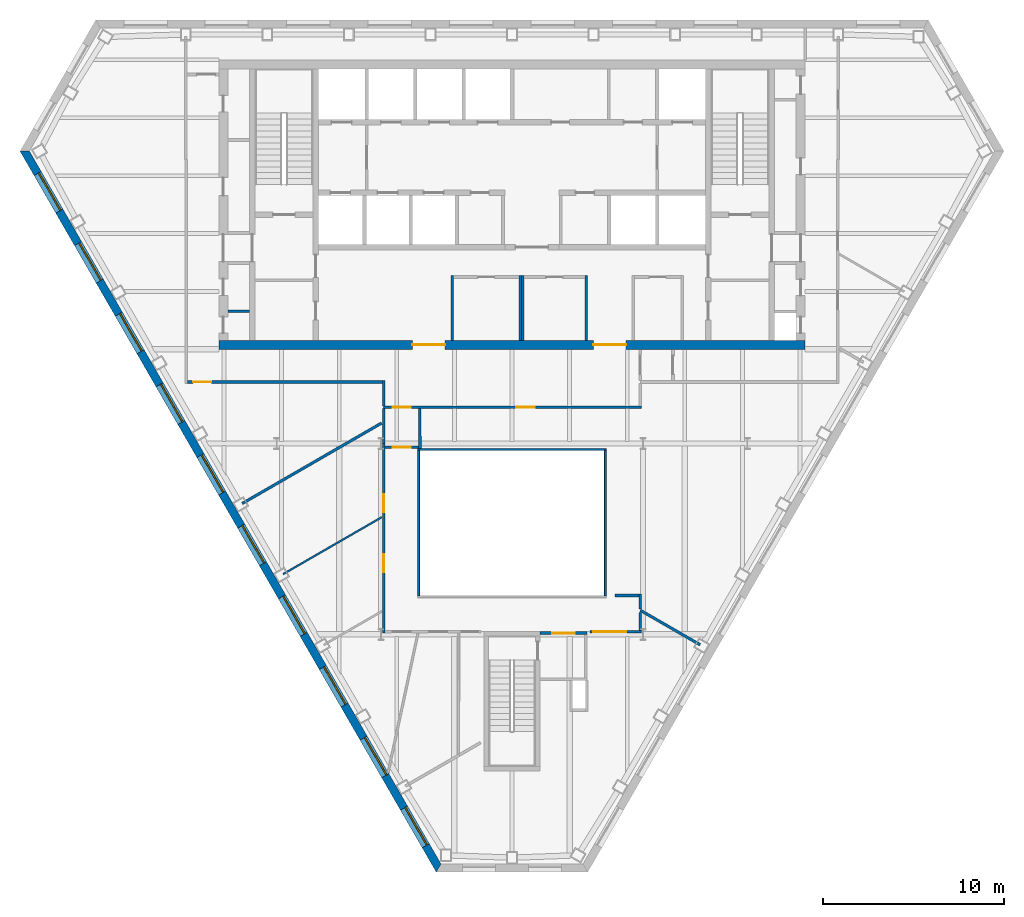
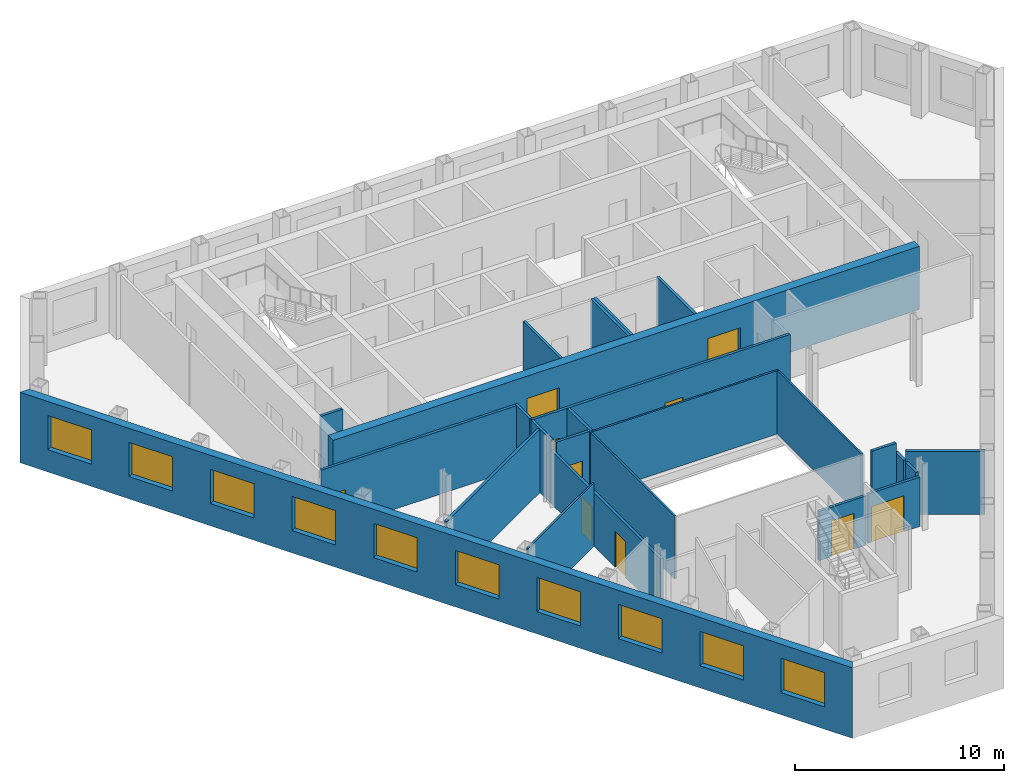
# One storey, part 4 of 10: 25 walls, 10 doors, 10 windows, 20 openings.
"""IFC4 building model written with IfcOpenShell, lengths in metres."""

from ifc_helpers import new_model, si_unit, direction, frame, frame_2d, origin, place, context, subcontext, project, spatial, polyline, rectangle, outline, extrude, material, layer, layer_set, type_object, element, fill, save


model = new_model("IFC4")

# Units and contexts
model_context = context("Model", 3, precision=1e-05, world=origin(), true_north=direction((0.0, 1.0)))
body_context = subcontext(model_context, "Body", "Model", "MODEL_VIEW")
ifc_project = project(units=[si_unit("LENGTHUNIT", "METRE"), si_unit("AREAUNIT", "SQUARE_METRE"), si_unit("VOLUMEUNIT", "CUBIC_METRE"), si_unit("PLANEANGLEUNIT", "RADIAN"), si_unit("MASSUNIT", "GRAM", prefix="KILO")], contexts=[model_context])

# Site, building, storey
site_placement = place(None, origin())
site = spatial("IfcSite", under=ifc_project, at=site_placement, CompositionType="ELEMENT")
building_placement = place(site_placement, origin())
building = spatial("IfcBuilding", under=site, at=building_placement, Name="Njiva Tower", CompositionType="ELEMENT")
storey_placement = place(building_placement, frame((0.0, 0.0, 171.0)))
storey = spatial("IfcBuildingStorey", under=building, at=storey_placement, Name="L37", CompositionType="ELEMENT", Elevation=171.0)

# Walls
ifc_material_1 = material(Name="Blockwork", Category="masonry")
ifc_layer_1 = layer(ifc_material_1, 0.15)
ifc_layer_set_1 = layer_set([ifc_layer_1], Name="Blockwork")
wall_type_1 = type_object("IfcWallType", Name="WT1 Compartment partition 150", PredefinedType="PARTITIONING", material=ifc_layer_set_1)
wall_1_placement = place(storey_placement, frame((-15.7, 4.107, 0.0), z_axis=(0.0, 0.0, 1.0), x_axis=(1.0, 0.0, 0.0)))
element("IfcWall", 1, at=wall_1_placement, inside=storey, type_object=wall_type_1, Name="Partition strip W00", PredefinedType="PARTITIONING", context=body_context, shape_type="SweptSolid", body=[
    extrude(rectangle(XDim=1.2, YDim=0.15, at=frame_2d((0.6, 0.0))), origin(), (0.0, 0.0, 1.0), 3.7),
])
for number, where, z_axis, x_axis, name in (
    (2, (-3.3, 2.5, 0.0), (0.0, 0.0, 1.0), (0.0, 1.0, 0.0), "First aid room wall west"),
    (3, (0.45, 2.5, 0.0), (0.0, 0.0, 1.0), (0.0, 1.0, 0.0), "First aid room wall east"),
    (4, (0.6, 2.5, 0.0), (0.0, 0.0, 1.0), (0.0, 1.0, 0.0), "Parcel room wall west"),
    (5, (4.1, 2.5, 0.0), (0.0, 0.0, 1.0), (0.0, 1.0, 0.0), "Parcel room wall east"),
):
    element("IfcWall", number, at=place(storey_placement, frame(where, z_axis=z_axis, x_axis=x_axis)), inside=storey, type_object=wall_type_1, Name=name, PredefinedType="PARTITIONING", context=body_context, shape_type="SweptSolid", body=[
        extrude(rectangle(XDim=3.575, YDim=0.15, at=frame_2d((1.7875, 0.0))), origin(), (0.0, 0.0, 1.0), 3.7),
    ])

# Wall, openings, doors
ifc_material_2 = material(Name="Concrete C60/75", Category="concrete")
ifc_layer_2 = layer(ifc_material_2, 0.5)
ifc_layer_set_2 = layer_set([ifc_layer_2], Name="Concrete C60/75")
wall_type_2 = type_object("IfcWallType", Name="WT13 Core wall 500", PredefinedType="SHEAR", material=ifc_layer_set_2)
wall_2_placement = place(storey_placement, frame((-16.2, 2.25, 0.0), z_axis=(0.0, 0.0, 1.0), x_axis=(1.0, 0.0, 0.0)))
wall_2 = element("IfcWall", 6, at=wall_2_placement, inside=storey, type_object=wall_type_2, Name="Core wall south", PredefinedType="SHEAR", context=body_context, shape_type="SweptSolid", body=[
    extrude(rectangle(XDim=32.4, YDim=0.5, at=frame_2d((16.2, 0.0))), origin(), (0.0, 0.0, 1.0), 3.7),
])
opening_1_placement = place(wall_2_placement, frame((10.7, 0.0, 0.0)))
opening_1 = element("IfcOpeningElement", 7, at=opening_1_placement, cuts=wall_2, Name="Opening S12-D937", PredefinedType="OPENING", context=body_context, shape_type="SweptSolid", body=[
    extrude(rectangle(XDim=1.8, YDim=2.4, at=frame_2d((0.9, 1.2))), frame((0.0, 0.26, 0.0), z_axis=(0.0, -1.0, 0.0), x_axis=(1.0, 0.0, 0.0)), (0.0, 0.0, 1.0), 0.52),
])
opening_2_placement = place(wall_2_placement, frame((20.7, 0.0, 0.0)))
opening_2 = element("IfcOpeningElement", 8, at=opening_2_placement, cuts=wall_2, Name="Opening S12-D938", PredefinedType="OPENING", context=body_context, shape_type="SweptSolid", body=[
    extrude(rectangle(XDim=1.8, YDim=2.4, at=frame_2d((0.9, 1.2))), frame((0.0, 0.26, 0.0), z_axis=(0.0, -1.0, 0.0), x_axis=(1.0, 0.0, 0.0)), (0.0, 0.0, 1.0), 0.52),
])
ifc_material_3 = material(Name="Steel and glass door", Category="steel")
door_type_1 = type_object("IfcDoorType", Name="D3 Core entrance door 1800x2400", OperationType="DOUBLE_DOOR_SINGLE_SWING", PredefinedType="DOOR", material=ifc_material_3)
door_1_placement = place(opening_1_placement, origin())
door_1 = element("IfcDoor", 9, at=door_1_placement, inside=storey, type_object=door_type_1, Name="Core entrance door", OperationType="DOUBLE_DOOR_SINGLE_SWING", OverallHeight=2.4, OverallWidth=1.8, PredefinedType="DOOR", context=body_context, shape_type="SweptSolid", body=[
    extrude(rectangle(XDim=1.8, YDim=2.4, at=frame_2d((0.9, 1.2))), frame((0.0, 0.025, 0.0), z_axis=(0.0, -1.0, 0.0), x_axis=(1.0, 0.0, 0.0)), (0.0, 0.0, 1.0), 0.05),
])
fill(opening_1, door_1)
door_2_placement = place(opening_2_placement, origin())
door_2 = element("IfcDoor", 10, at=door_2_placement, inside=storey, type_object=door_type_1, Name="Core entrance door", OperationType="DOUBLE_DOOR_SINGLE_SWING", OverallHeight=2.4, OverallWidth=1.8, PredefinedType="DOOR", context=body_context, shape_type="SweptSolid", body=[
    extrude(rectangle(XDim=1.8, YDim=2.4, at=frame_2d((0.9, 1.2))), frame((0.0, 0.025, 0.0), z_axis=(0.0, -1.0, 0.0), x_axis=(1.0, 0.0, 0.0)), (0.0, 0.0, 1.0), 0.05),
])
fill(opening_2, door_2)

# Wall
ifc_material_4 = material(Name="Gypsum board on steel studs", Category="gypsum")
ifc_layer_3 = layer(ifc_material_4, 0.1)
ifc_layer_set_3 = layer_set([ifc_layer_3], Name="Gypsum board on steel studs")
wall_type_3 = type_object("IfcWallType", Name="WT20 Gypsum partition 100", PredefinedType="PARTITIONING", material=ifc_layer_set_3)
wall_3_placement = place(storey_placement, frame((-12.652, -10.421, 0.0), z_axis=(0.0, 0.0, 1.0), x_axis=(0.866058850386, 0.499942064311, 0.0)))
element("IfcWall", 11, at=wall_3_placement, inside=storey, type_object=wall_type_3, Name="Partition S12-P006", PredefinedType="PARTITIONING", context=body_context, shape_type="SweptSolid", body=[
    extrude(rectangle(XDim=6.3067, YDim=0.1, at=frame_2d((3.1534, 0.0))), origin(), (0.0, 0.0, 1.0), 3.7),
])

# Wall, opening, door
ifc_layer_4 = layer(ifc_material_4, 0.15)
ifc_layer_set_4 = layer_set([ifc_layer_4], Name="Gypsum board on steel studs")
wall_type_4 = type_object("IfcWallType", Name="WT21 Compartment wall 150", PredefinedType="PARTITIONING", material=ifc_layer_set_4)
wall_4_placement = place(storey_placement, frame((-17.925, 0.2, 0.0), z_axis=(0.0, 0.0, 1.0), x_axis=(1.0, 0.0, 0.0)))
wall_4 = element("IfcWall", 12, at=wall_4_placement, inside=storey, type_object=wall_type_4, Name="Partition S12-P004", PredefinedType="PARTITIONING", context=body_context, shape_type="SweptSolid", body=[
    extrude(rectangle(XDim=10.759, YDim=0.15, at=frame_2d((5.3795, 0.0))), origin(), (0.0, 0.0, 1.0), 3.7),
])
opening_3_placement = place(wall_4_placement, frame((0.312, 0.0, 0.0)))
opening_3 = element("IfcOpeningElement", 13, at=opening_3_placement, cuts=wall_4, Name="Opening S12-D002", PredefinedType="OPENING", context=body_context, shape_type="SweptSolid", body=[
    extrude(rectangle(XDim=1.0, YDim=2.1, at=frame_2d((0.5, 1.05))), frame((0.0, 0.085, 0.0), z_axis=(0.0, -1.0, 0.0), x_axis=(1.0, 0.0, 0.0)), (0.0, 0.0, 1.0), 0.17),
])
ifc_material_5 = material(Name="Steel fire door set", Category="steel")
door_type_2 = type_object("IfcDoorType", Name="D37 Fire door 1000x2100", OperationType="SINGLE_SWING_LEFT", PredefinedType="DOOR", material=ifc_material_5)
door_3_placement = place(opening_3_placement, origin())
door_3 = element("IfcDoor", 14, at=door_3_placement, inside=storey, type_object=door_type_2, Name="Door S12-D002", OperationType="SINGLE_SWING_LEFT", OverallHeight=2.1, OverallWidth=1.0, PredefinedType="DOOR", context=body_context, shape_type="SweptSolid", body=[
    extrude(rectangle(XDim=1.0, YDim=2.1, at=frame_2d((0.5, 1.05))), frame((0.0, 0.025, 0.0), z_axis=(0.0, -1.0, 0.0), x_axis=(1.0, 0.0, 0.0)), (0.0, 0.0, 1.0), 0.05),
])
fill(opening_3, door_3)

# Walls
wall_5_placement = place(storey_placement, frame((-14.906, -6.516, 0.0), z_axis=(0.0, 0.0, 1.0), x_axis=(0.866138783521, 0.499803569096, 0.0)))
element("IfcWall", 15, at=wall_5_placement, inside=storey, type_object=wall_type_4, Name="Partition S12-P005", PredefinedType="PARTITIONING", context=body_context, shape_type="SweptSolid", body=[
    extrude(rectangle(XDim=8.8935, YDim=0.15, at=frame_2d((4.4468, 0.0))), origin(), (0.0, 0.0, 1.0), 3.7),
])
wall_6_placement = place(storey_placement, frame((-7.091, -1.125, 0.0), z_axis=(0.0, 0.0, 1.0), x_axis=(0.0, 1.0, 0.0)))
element("IfcWall", 16, at=wall_6_placement, inside=storey, type_object=wall_type_4, Name="Partition S12-P008", PredefinedType="PARTITIONING", context=body_context, shape_type="SweptSolid", body=[
    extrude(rectangle(XDim=1.4, YDim=0.15, at=frame_2d((0.7, 0.0))), origin(), (0.0, 0.0, 1.0), 3.7),
])

# Wall, openings, doors
wall_7_placement = place(storey_placement, frame((-7.09, -1.2, 0.0), z_axis=(0.0, 0.0, 1.0), x_axis=(1.0, 0.0, 0.0)))
wall_7 = element("IfcWall", 17, at=wall_7_placement, inside=storey, type_object=wall_type_4, Name="Partition S12-P009", PredefinedType="PARTITIONING", context=body_context, shape_type="SweptSolid", body=[
    extrude(rectangle(XDim=14.255, YDim=0.15, at=frame_2d((7.1275, 0.0))), origin(), (0.0, 0.0, 1.0), 3.7),
])
opening_4_placement = place(wall_7_placement, frame((0.5, 0.0, 0.0)))
opening_4 = element("IfcOpeningElement", 18, at=opening_4_placement, cuts=wall_7, Name="Opening S12-D003", PredefinedType="OPENING", context=body_context, shape_type="SweptSolid", body=[
    extrude(rectangle(XDim=1.0, YDim=2.1, at=frame_2d((0.5, 1.05))), frame((0.0, 0.085, 0.0), z_axis=(0.0, -1.0, 0.0), x_axis=(1.0, 0.0, 0.0)), (0.0, 0.0, 1.0), 0.17),
])
opening_5_placement = place(wall_7_placement, frame((7.338, 0.0, 0.0)))
opening_5 = element("IfcOpeningElement", 19, at=opening_5_placement, cuts=wall_7, Name="Opening S12-D004", PredefinedType="OPENING", context=body_context, shape_type="SweptSolid", body=[
    extrude(rectangle(XDim=1.0, YDim=2.1, at=frame_2d((0.5, 1.05))), frame((0.0, 0.085, 0.0), z_axis=(0.0, -1.0, 0.0), x_axis=(1.0, 0.0, 0.0)), (0.0, 0.0, 1.0), 0.17),
])
door_4_placement = place(opening_4_placement, origin())
door_4 = element("IfcDoor", 20, at=door_4_placement, inside=storey, type_object=door_type_2, Name="Door S12-D003", OperationType="SINGLE_SWING_RIGHT", OverallHeight=2.1, OverallWidth=1.0, PredefinedType="DOOR", context=body_context, shape_type="SweptSolid", body=[
    extrude(rectangle(XDim=1.0, YDim=2.1, at=frame_2d((0.5, 1.05))), frame((0.0, 0.025, 0.0), z_axis=(0.0, -1.0, 0.0), x_axis=(1.0, 0.0, 0.0)), (0.0, 0.0, 1.0), 0.05),
])
fill(opening_4, door_4)
door_5_placement = place(opening_5_placement, origin())
door_5 = element("IfcDoor", 21, at=door_5_placement, inside=storey, type_object=door_type_2, Name="Door S12-D004", OperationType="SINGLE_SWING_RIGHT", OverallHeight=2.1, OverallWidth=1.0, PredefinedType="DOOR", context=body_context, shape_type="SweptSolid", body=[
    extrude(rectangle(XDim=1.0, YDim=2.1, at=frame_2d((0.5, 1.05))), frame((0.0, 0.025, 0.0), z_axis=(0.0, -1.0, 0.0), x_axis=(1.0, 0.0, 0.0)), (0.0, 0.0, 1.0), 0.05),
])
fill(opening_5, door_5)

wall_8_placement = place(storey_placement, frame((-7.09, -13.675, 0.0), z_axis=(0.0, 0.0, 1.0), x_axis=(-7.6372315e-05, 0.999999997084, 0.0)))
wall_8 = element("IfcWall", 22, at=wall_8_placement, inside=storey, type_object=wall_type_4, Name="Partition S12-P010", PredefinedType="PARTITIONING", context=body_context, shape_type="SweptSolid", body=[
    extrude(rectangle(XDim=10.475, YDim=0.15, at=frame_2d((5.2375, 0.0))), origin(), (0.0, 0.0, 1.0), 3.11),
])
opening_6_placement = place(wall_8_placement, frame((3.362, 0.0, 0.0)))
opening_6 = element("IfcOpeningElement", 23, at=opening_6_placement, cuts=wall_8, Name="Opening S12-D005", PredefinedType="OPENING", context=body_context, shape_type="SweptSolid", body=[
    extrude(rectangle(XDim=1.0, YDim=2.1, at=frame_2d((0.5, 1.05))), frame((0.0, 0.085, 0.0), z_axis=(0.0, -1.0, 0.0), x_axis=(1.0, 0.0, 0.0)), (0.0, 0.0, 1.0), 0.17),
])
opening_7_placement = place(wall_8_placement, frame((6.665, 0.0, 0.0)))
opening_7 = element("IfcOpeningElement", 24, at=opening_7_placement, cuts=wall_8, Name="Opening S12-D006", PredefinedType="OPENING", context=body_context, shape_type="SweptSolid", body=[
    extrude(rectangle(XDim=1.0, YDim=2.1, at=frame_2d((0.5, 1.05))), frame((0.0, 0.085, 0.0), z_axis=(0.0, -1.0, 0.0), x_axis=(1.0, 0.0, 0.0)), (0.0, 0.0, 1.0), 0.17),
])
door_6_placement = place(opening_6_placement, origin())
door_6 = element("IfcDoor", 25, at=door_6_placement, inside=storey, type_object=door_type_2, Name="Door S12-D005", OperationType="SINGLE_SWING_RIGHT", OverallHeight=2.1, OverallWidth=1.0, PredefinedType="DOOR", context=body_context, shape_type="SweptSolid", body=[
    extrude(rectangle(XDim=1.0, YDim=2.1, at=frame_2d((0.5, 1.05))), frame((0.0, 0.025, 0.0), z_axis=(0.0, -1.0, 0.0), x_axis=(1.0, 0.0, 0.0)), (0.0, 0.0, 1.0), 0.05),
])
fill(opening_6, door_6)
door_7_placement = place(opening_7_placement, origin())
door_7 = element("IfcDoor", 26, at=door_7_placement, inside=storey, type_object=door_type_2, Name="Door S12-D006", OperationType="SINGLE_SWING_LEFT", OverallHeight=2.1, OverallWidth=1.0, PredefinedType="DOOR", context=body_context, shape_type="SweptSolid", body=[
    extrude(rectangle(XDim=1.0, YDim=2.1, at=frame_2d((0.5, 1.05))), frame((0.0, 0.025, 0.0), z_axis=(0.0, -1.0, 0.0), x_axis=(1.0, 0.0, 0.0)), (0.0, 0.0, 1.0), 0.05),
])
fill(opening_7, door_7)

# Wall
wall_9_placement = place(storey_placement, frame((-7.0908, -3.2, 0.0), z_axis=(0.0, 0.0, 1.0), x_axis=(-0.000103896103, 0.999999994603, 0.0)))
element("IfcWall", 27, at=wall_9_placement, inside=storey, type_object=wall_type_4, Name="Partition S12-P010A", PredefinedType="PARTITIONING", context=body_context, shape_type="SweptSolid", body=[
    extrude(rectangle(XDim=1.925, YDim=0.15, at=frame_2d((0.9625, 0.0))), origin(), (0.0, 0.0, 1.0), 3.7),
])

# Wall, opening, door
wall_10_placement = place(storey_placement, frame((-7.016, -3.4, 0.0), z_axis=(0.0, 0.0, 1.0), x_axis=(1.0, 0.0, 0.0)))
wall_10 = element("IfcWall", 28, at=wall_10_placement, inside=storey, type_object=wall_type_4, Name="Partition S12-P011", PredefinedType="PARTITIONING", context=body_context, shape_type="SweptSolid", body=[
    extrude(rectangle(XDim=1.852, YDim=0.15, at=frame_2d((0.926, 0.0))), origin(), (0.0, 0.0, 1.0), 3.7),
])
opening_8_placement = place(wall_10_placement, frame((0.426, 0.0, 0.0)))
opening_8 = element("IfcOpeningElement", 29, at=opening_8_placement, cuts=wall_10, Name="Opening S12-D007", PredefinedType="OPENING", context=body_context, shape_type="SweptSolid", body=[
    extrude(rectangle(XDim=1.0, YDim=2.1, at=frame_2d((0.5, 1.05))), frame((0.0, 0.085, 0.0), z_axis=(0.0, -1.0, 0.0), x_axis=(1.0, 0.0, 0.0)), (0.0, 0.0, 1.0), 0.17),
])
door_8_placement = place(opening_8_placement, origin())
door_8 = element("IfcDoor", 30, at=door_8_placement, inside=storey, type_object=door_type_2, Name="Door S12-D007", OperationType="SINGLE_SWING_RIGHT", OverallHeight=2.1, OverallWidth=1.0, PredefinedType="DOOR", context=body_context, shape_type="SweptSolid", body=[
    extrude(rectangle(XDim=1.0, YDim=2.1, at=frame_2d((0.5, 1.05))), frame((0.0, 0.025, 0.0), z_axis=(0.0, -1.0, 0.0), x_axis=(1.0, 0.0, 0.0)), (0.0, 0.0, 1.0), 0.05),
])
fill(opening_8, door_8)

# Wall
wall_11_placement = place(storey_placement, frame((-5.089, -3.48, 0.0), z_axis=(0.0, 0.0, 1.0), x_axis=(-0.000453514693, 0.999999897162, 0.0)))
element("IfcWall", 31, at=wall_11_placement, inside=storey, type_object=wall_type_4, Name="Partition S12-P015", PredefinedType="PARTITIONING", context=body_context, shape_type="SweptSolid", body=[
    extrude(rectangle(XDim=2.205, YDim=0.15, at=frame_2d((1.1025, 0.0))), origin(), (0.0, 0.0, 1.0), 3.7),
])

# Wall, opening, door
wall_12_placement = place(storey_placement, frame((4.3, -13.6, 0.0), z_axis=(0.0, 0.0, 1.0), x_axis=(1.0, 0.0, 0.0)))
wall_12 = element("IfcWall", 32, at=wall_12_placement, inside=storey, type_object=wall_type_4, Name="Partition S12-P018", PredefinedType="PARTITIONING", context=body_context, shape_type="SweptSolid", body=[
    extrude(rectangle(XDim=2.865, YDim=0.15, at=frame_2d((1.4325, 0.0))), origin(), (0.0, 0.0, 1.0), 2.886),
])
opening_9_placement = place(wall_12_placement, frame((0.2, 0.0, 0.0)))
opening_9 = element("IfcOpeningElement", 33, at=opening_9_placement, cuts=wall_12, Name="Opening S12-D011", PredefinedType="OPENING", context=body_context, shape_type="SweptSolid", body=[
    extrude(rectangle(XDim=1.8, YDim=2.1, at=frame_2d((0.9, 1.05))), frame((0.0, 0.085, 0.0), z_axis=(0.0, -1.0, 0.0), x_axis=(1.0, 0.0, 0.0)), (0.0, 0.0, 1.0), 0.17),
])
door_type_3 = type_object("IfcDoorType", Name="D38 Fire door 1800x2100", OperationType="DOUBLE_DOOR_SINGLE_SWING", PredefinedType="DOOR", material=ifc_material_5)
door_9_placement = place(opening_9_placement, origin())
door_9 = element("IfcDoor", 34, at=door_9_placement, inside=storey, type_object=door_type_3, Name="Door S12-D011", OperationType="DOUBLE_DOOR_SINGLE_SWING", OverallHeight=2.1, OverallWidth=1.8, PredefinedType="DOOR", context=body_context, shape_type="SweptSolid", body=[
    extrude(rectangle(XDim=1.8, YDim=2.1, at=frame_2d((0.9, 1.05))), frame((0.0, 0.025, 0.0), z_axis=(0.0, -1.0, 0.0), x_axis=(1.0, 0.0, 0.0)), (0.0, 0.0, 1.0), 0.05),
])
fill(opening_9, door_9)

# Walls
wall_13_placement = place(storey_placement, frame((5.679, -11.6, 0.0), z_axis=(0.0, 0.0, 1.0), x_axis=(1.0, 0.0, 0.0)))
element("IfcWall", 35, at=wall_13_placement, inside=storey, type_object=wall_type_4, Name="Partition S12-P019", PredefinedType="PARTITIONING", context=body_context, shape_type="SweptSolid", body=[
    extrude(rectangle(XDim=1.336, YDim=0.15, at=frame_2d((0.668, 0.0))), origin(), (0.0, 0.0, 1.0), 3.7),
])
wall_14_placement = place(storey_placement, frame((7.09, -13.525, 0.0), z_axis=(0.0, 0.0, 1.0), x_axis=(0.0, 1.0, 0.0)))
element("IfcWall", 36, at=wall_14_placement, inside=storey, type_object=wall_type_4, Name="Partition S12-P020", PredefinedType="PARTITIONING", context=body_context, shape_type="SweptSolid", body=[
    extrude(rectangle(XDim=0.98, YDim=0.15, at=frame_2d((0.49, 0.0))), origin(), (0.0, 0.0, 1.0), 3.11),
])
wall_15_placement = place(storey_placement, frame((7.09, -12.351, 0.0), z_axis=(0.0, 0.0, 1.0), x_axis=(0.0, 1.0, 0.0)))
element("IfcWall", 37, at=wall_15_placement, inside=storey, type_object=wall_type_4, Name="Partition S12-P021", PredefinedType="PARTITIONING", context=body_context, shape_type="SweptSolid", body=[
    extrude(rectangle(XDim=0.826, YDim=0.15, at=frame_2d((0.413, 0.0))), origin(), (0.0, 0.0, 1.0), 3.11),
])
wall_16_placement = place(storey_placement, frame((7.092, -12.416, 0.0), z_axis=(0.0, 0.0, 1.0), x_axis=(0.866107068482, -0.499858525911, 0.0)))
element("IfcWall", 38, at=wall_16_placement, inside=storey, type_object=wall_type_4, Name="Partition S12-P025", PredefinedType="PARTITIONING", context=body_context, shape_type="SweptSolid", body=[
    extrude(rectangle(XDim=3.8171, YDim=0.15, at=frame_2d((1.9086, 0.0))), origin(), (0.0, 0.0, 1.0), 3.7),
])

# Wall, opening, door
ifc_layer_5 = layer(ifc_material_1, 0.15)
ifc_layer_set_5 = layer_set([ifc_layer_5], Name="Blockwork")
wall_type_5 = type_object("IfcWallType", Name="WT4 Stair partition 150", PredefinedType="PARTITIONING", material=ifc_layer_set_5)
wall_17_placement = place(storey_placement, frame((1.55, -13.675, 0.0), z_axis=(0.0, 0.0, 1.0), x_axis=(1.0, 0.0, 0.0)))
wall_17 = element("IfcWall", 39, at=wall_17_placement, inside=storey, type_object=wall_type_5, Name="Stair C vestibule wall north", PredefinedType="PARTITIONING", context=body_context, shape_type="SweptSolid", body=[
    extrude(rectangle(XDim=2.6, YDim=0.15, at=frame_2d((1.3, 0.0))), origin(), (0.0, 0.0, 1.0), 2.886),
])
opening_10_placement = place(wall_17_placement, frame((0.675, 0.0, 0.0)))
opening_10 = element("IfcOpeningElement", 40, at=opening_10_placement, cuts=wall_17, Name="Opening S12-D940", PredefinedType="OPENING", context=body_context, shape_type="SweptSolid", body=[
    extrude(rectangle(XDim=1.25, YDim=2.1, at=frame_2d((0.625, 1.05))), frame((0.0, 0.085, 0.0), z_axis=(0.0, -1.0, 0.0), x_axis=(1.0, 0.0, 0.0)), (0.0, 0.0, 1.0), 0.17),
])
ifc_material_6 = material(Name="Glazed steel fire door", Category="steel")
door_type_4 = type_object("IfcDoorType", Name="D8 Vestibule corridor door 1250x2100 glazed", OperationType="SINGLE_SWING_LEFT", PredefinedType="DOOR", material=ifc_material_6)
door_10_placement = place(opening_10_placement, origin())
door_10 = element("IfcDoor", 41, at=door_10_placement, inside=storey, type_object=door_type_4, Name="Stair vestibule corridor door", OperationType="SINGLE_SWING_RIGHT", OverallHeight=2.1, OverallWidth=1.25, PredefinedType="DOOR", context=body_context, shape_type="SweptSolid", body=[
    extrude(rectangle(XDim=1.25, YDim=2.1, at=frame_2d((0.625, 1.05))), frame((0.0, 0.025, 0.0), z_axis=(0.0, -1.0, 0.0), x_axis=(1.0, 0.0, 0.0)), (0.0, 0.0, 1.0), 0.05),
])
fill(opening_10, door_10)

# Wall, openings, windows
ifc_material_7 = material(Name="Brick masonry", Category="masonry")
ifc_layer_6 = layer(ifc_material_7, 0.45)
ifc_layer_set_6 = layer_set([ifc_layer_6], Name="Brick masonry")
wall_type_6 = type_object("IfcWallType", Name="WT90 Brick pier and spandrel wall 450", PredefinedType="SOLIDWALL", material=ifc_layer_set_6)
wall_18_placement = place(storey_placement, frame((-26.9252, 12.9514, -0.4), z_axis=(0.0, 0.0, 1.0), x_axis=(0.499999764979, -0.866025539474, 0.0)))
wall_18 = element("IfcWall", 42, at=wall_18_placement, inside=storey, type_object=wall_type_6, Name="Facade wall SW", PredefinedType="SOLIDWALL", context=body_context, shape_type="SweptSolid", body=[
    extrude(outline(polyline([(-0.1299, -0.225), (45.8701, -0.225), (45.6103, 0.225), (0.1299, 0.225), (-0.1299, -0.225)])), origin(), (0.0, 0.0, 1.0), 4.12),
])
opening_11_placement = place(wall_18_placement, frame((1.4242, 0.0, 1.3)))
opening_11 = element("IfcOpeningElement", 43, at=opening_11_placement, cuts=wall_18, Name="Opening S12-W12", PredefinedType="OPENING", context=body_context, shape_type="SweptSolid", body=[
    extrude(rectangle(XDim=2.4, YDim=2.0, at=frame_2d((1.2, 1.0))), frame((0.0, 0.235, 0.0), z_axis=(0.0, -1.0, 0.0), x_axis=(1.0, 0.0, 0.0)), (0.0, 0.0, 1.0), 0.47),
])
opening_12_placement = place(wall_18_placement, frame((5.8934, 0.0, 1.3)))
opening_12 = element("IfcOpeningElement", 44, at=opening_12_placement, cuts=wall_18, Name="Opening S12-W13", PredefinedType="OPENING", context=body_context, shape_type="SweptSolid", body=[
    extrude(rectangle(XDim=2.4, YDim=2.0, at=frame_2d((1.2, 1.0))), frame((0.0, 0.235, 0.0), z_axis=(0.0, -1.0, 0.0), x_axis=(1.0, 0.0, 0.0)), (0.0, 0.0, 1.0), 0.47),
])
opening_13_placement = place(wall_18_placement, frame((10.401, 0.0, 1.3)))
opening_13 = element("IfcOpeningElement", 45, at=opening_13_placement, cuts=wall_18, Name="Opening S12-W14", PredefinedType="OPENING", context=body_context, shape_type="SweptSolid", body=[
    extrude(rectangle(XDim=2.4, YDim=2.0, at=frame_2d((1.2, 1.0))), frame((0.0, 0.235, 0.0), z_axis=(0.0, -1.0, 0.0), x_axis=(1.0, 0.0, 0.0)), (0.0, 0.0, 1.0), 0.47),
])
opening_14_placement = place(wall_18_placement, frame((14.9087, 0.0, 1.3)))
opening_14 = element("IfcOpeningElement", 46, at=opening_14_placement, cuts=wall_18, Name="Opening S12-W15", PredefinedType="OPENING", context=body_context, shape_type="SweptSolid", body=[
    extrude(rectangle(XDim=2.4, YDim=2.0, at=frame_2d((1.2, 1.0))), frame((0.0, 0.235, 0.0), z_axis=(0.0, -1.0, 0.0), x_axis=(1.0, 0.0, 0.0)), (0.0, 0.0, 1.0), 0.47),
])
opening_15_placement = place(wall_18_placement, frame((19.4163, 0.0, 1.3)))
opening_15 = element("IfcOpeningElement", 47, at=opening_15_placement, cuts=wall_18, Name="Opening S12-W16", PredefinedType="OPENING", context=body_context, shape_type="SweptSolid", body=[
    extrude(rectangle(XDim=2.4, YDim=2.0, at=frame_2d((1.2, 1.0))), frame((0.0, 0.235, 0.0), z_axis=(0.0, -1.0, 0.0), x_axis=(1.0, 0.0, 0.0)), (0.0, 0.0, 1.0), 0.47),
])
opening_16_placement = place(wall_18_placement, frame((23.9239, 0.0, 1.3)))
opening_16 = element("IfcOpeningElement", 48, at=opening_16_placement, cuts=wall_18, Name="Opening S12-W17", PredefinedType="OPENING", context=body_context, shape_type="SweptSolid", body=[
    extrude(rectangle(XDim=2.4, YDim=2.0, at=frame_2d((1.2, 1.0))), frame((0.0, 0.235, 0.0), z_axis=(0.0, -1.0, 0.0), x_axis=(1.0, 0.0, 0.0)), (0.0, 0.0, 1.0), 0.47),
])
opening_17_placement = place(wall_18_placement, frame((28.4315, 0.0, 1.3)))
opening_17 = element("IfcOpeningElement", 49, at=opening_17_placement, cuts=wall_18, Name="Opening S12-W18", PredefinedType="OPENING", context=body_context, shape_type="SweptSolid", body=[
    extrude(rectangle(XDim=2.4, YDim=2.0, at=frame_2d((1.2, 1.0))), frame((0.0, 0.235, 0.0), z_axis=(0.0, -1.0, 0.0), x_axis=(1.0, 0.0, 0.0)), (0.0, 0.0, 1.0), 0.47),
])
opening_18_placement = place(wall_18_placement, frame((32.9391, 0.0, 1.3)))
opening_18 = element("IfcOpeningElement", 50, at=opening_18_placement, cuts=wall_18, Name="Opening S12-W19", PredefinedType="OPENING", context=body_context, shape_type="SweptSolid", body=[
    extrude(rectangle(XDim=2.4, YDim=2.0, at=frame_2d((1.2, 1.0))), frame((0.0, 0.235, 0.0), z_axis=(0.0, -1.0, 0.0), x_axis=(1.0, 0.0, 0.0)), (0.0, 0.0, 1.0), 0.47),
])
opening_19_placement = place(wall_18_placement, frame((37.4468, 0.0, 1.3)))
opening_19 = element("IfcOpeningElement", 51, at=opening_19_placement, cuts=wall_18, Name="Opening S12-W20", PredefinedType="OPENING", context=body_context, shape_type="SweptSolid", body=[
    extrude(rectangle(XDim=2.4, YDim=2.0, at=frame_2d((1.2, 1.0))), frame((0.0, 0.235, 0.0), z_axis=(0.0, -1.0, 0.0), x_axis=(1.0, 0.0, 0.0)), (0.0, 0.0, 1.0), 0.47),
])
opening_20_placement = place(wall_18_placement, frame((41.916, 0.0, 1.3)))
opening_20 = element("IfcOpeningElement", 52, at=opening_20_placement, cuts=wall_18, Name="Opening S12-W21", PredefinedType="OPENING", context=body_context, shape_type="SweptSolid", body=[
    extrude(rectangle(XDim=2.4, YDim=2.0, at=frame_2d((1.2, 1.0))), frame((0.0, 0.235, 0.0), z_axis=(0.0, -1.0, 0.0), x_axis=(1.0, 0.0, 0.0)), (0.0, 0.0, 1.0), 0.47),
])
ifc_material_8 = material(Name="Clear glazing in aluminium frame", Category="aluminium")
window_type = type_object("IfcWindowType", Name="W90 Deep-set window 2400x2000", PartitioningType="SINGLE_PANEL", PredefinedType="WINDOW", material=ifc_material_8)
window_1_placement = place(opening_11_placement, origin())
window_1 = element("IfcWindow", 53, at=window_1_placement, inside=storey, type_object=window_type, Name="Window", OverallHeight=2.0, OverallWidth=2.4, PartitioningType="SINGLE_PANEL", PredefinedType="WINDOW", context=body_context, shape_type="SweptSolid", body=[
    extrude(rectangle(XDim=2.4, YDim=2.0, at=frame_2d((1.2, 1.0))), frame((0.0, 0.105, 0.0), z_axis=(0.0, -1.0, 0.0), x_axis=(1.0, 0.0, 0.0)), (0.0, 0.0, 1.0), 0.06),
])
fill(opening_11, window_1)
window_2_placement = place(opening_12_placement, origin())
window_2 = element("IfcWindow", 54, at=window_2_placement, inside=storey, type_object=window_type, Name="Window", OverallHeight=2.0, OverallWidth=2.4, PartitioningType="SINGLE_PANEL", PredefinedType="WINDOW", context=body_context, shape_type="SweptSolid", body=[
    extrude(rectangle(XDim=2.4, YDim=2.0, at=frame_2d((1.2, 1.0))), frame((0.0, 0.105, 0.0), z_axis=(0.0, -1.0, 0.0), x_axis=(1.0, 0.0, 0.0)), (0.0, 0.0, 1.0), 0.06),
])
fill(opening_12, window_2)
window_3_placement = place(opening_13_placement, origin())
window_3 = element("IfcWindow", 55, at=window_3_placement, inside=storey, type_object=window_type, Name="Window", OverallHeight=2.0, OverallWidth=2.4, PartitioningType="SINGLE_PANEL", PredefinedType="WINDOW", context=body_context, shape_type="SweptSolid", body=[
    extrude(rectangle(XDim=2.4, YDim=2.0, at=frame_2d((1.2, 1.0))), frame((0.0, 0.105, 0.0), z_axis=(0.0, -1.0, 0.0), x_axis=(1.0, 0.0, 0.0)), (0.0, 0.0, 1.0), 0.06),
])
fill(opening_13, window_3)
window_4_placement = place(opening_14_placement, origin())
window_4 = element("IfcWindow", 56, at=window_4_placement, inside=storey, type_object=window_type, Name="Window", OverallHeight=2.0, OverallWidth=2.4, PartitioningType="SINGLE_PANEL", PredefinedType="WINDOW", context=body_context, shape_type="SweptSolid", body=[
    extrude(rectangle(XDim=2.4, YDim=2.0, at=frame_2d((1.2, 1.0))), frame((0.0, 0.105, 0.0), z_axis=(0.0, -1.0, 0.0), x_axis=(1.0, 0.0, 0.0)), (0.0, 0.0, 1.0), 0.06),
])
fill(opening_14, window_4)
window_5_placement = place(opening_15_placement, origin())
window_5 = element("IfcWindow", 57, at=window_5_placement, inside=storey, type_object=window_type, Name="Window", OverallHeight=2.0, OverallWidth=2.4, PartitioningType="SINGLE_PANEL", PredefinedType="WINDOW", context=body_context, shape_type="SweptSolid", body=[
    extrude(rectangle(XDim=2.4, YDim=2.0, at=frame_2d((1.2, 1.0))), frame((0.0, 0.105, 0.0), z_axis=(0.0, -1.0, 0.0), x_axis=(1.0, 0.0, 0.0)), (0.0, 0.0, 1.0), 0.06),
])
fill(opening_15, window_5)
window_6_placement = place(opening_16_placement, origin())
window_6 = element("IfcWindow", 58, at=window_6_placement, inside=storey, type_object=window_type, Name="Window", OverallHeight=2.0, OverallWidth=2.4, PartitioningType="SINGLE_PANEL", PredefinedType="WINDOW", context=body_context, shape_type="SweptSolid", body=[
    extrude(rectangle(XDim=2.4, YDim=2.0, at=frame_2d((1.2, 1.0))), frame((0.0, 0.105, 0.0), z_axis=(0.0, -1.0, 0.0), x_axis=(1.0, 0.0, 0.0)), (0.0, 0.0, 1.0), 0.06),
])
fill(opening_16, window_6)
window_7_placement = place(opening_17_placement, origin())
window_7 = element("IfcWindow", 59, at=window_7_placement, inside=storey, type_object=window_type, Name="Window", OverallHeight=2.0, OverallWidth=2.4, PartitioningType="SINGLE_PANEL", PredefinedType="WINDOW", context=body_context, shape_type="SweptSolid", body=[
    extrude(rectangle(XDim=2.4, YDim=2.0, at=frame_2d((1.2, 1.0))), frame((0.0, 0.105, 0.0), z_axis=(0.0, -1.0, 0.0), x_axis=(1.0, 0.0, 0.0)), (0.0, 0.0, 1.0), 0.06),
])
fill(opening_17, window_7)
window_8_placement = place(opening_18_placement, origin())
window_8 = element("IfcWindow", 60, at=window_8_placement, inside=storey, type_object=window_type, Name="Window", OverallHeight=2.0, OverallWidth=2.4, PartitioningType="SINGLE_PANEL", PredefinedType="WINDOW", context=body_context, shape_type="SweptSolid", body=[
    extrude(rectangle(XDim=2.4, YDim=2.0, at=frame_2d((1.2, 1.0))), frame((0.0, 0.105, 0.0), z_axis=(0.0, -1.0, 0.0), x_axis=(1.0, 0.0, 0.0)), (0.0, 0.0, 1.0), 0.06),
])
fill(opening_18, window_8)
window_9_placement = place(opening_19_placement, origin())
window_9 = element("IfcWindow", 61, at=window_9_placement, inside=storey, type_object=window_type, Name="Window", OverallHeight=2.0, OverallWidth=2.4, PartitioningType="SINGLE_PANEL", PredefinedType="WINDOW", context=body_context, shape_type="SweptSolid", body=[
    extrude(rectangle(XDim=2.4, YDim=2.0, at=frame_2d((1.2, 1.0))), frame((0.0, 0.105, 0.0), z_axis=(0.0, -1.0, 0.0), x_axis=(1.0, 0.0, 0.0)), (0.0, 0.0, 1.0), 0.06),
])
fill(opening_19, window_9)
window_10_placement = place(opening_20_placement, origin())
window_10 = element("IfcWindow", 62, at=window_10_placement, inside=storey, type_object=window_type, Name="Window", OverallHeight=2.0, OverallWidth=2.4, PartitioningType="SINGLE_PANEL", PredefinedType="WINDOW", context=body_context, shape_type="SweptSolid", body=[
    extrude(rectangle(XDim=2.4, YDim=2.0, at=frame_2d((1.2, 1.0))), frame((0.0, 0.105, 0.0), z_axis=(0.0, -1.0, 0.0), x_axis=(1.0, 0.0, 0.0)), (0.0, 0.0, 1.0), 0.06),
])
fill(opening_20, window_10)

# Walls
ifc_material_9 = material(Name="Fire-resisting glazing EI 90", Category="glass")
ifc_layer_7 = layer(ifc_material_9, 0.1)
ifc_layer_set_7 = layer_set([ifc_layer_7], Name="Fire-resisting glazing EI 90")
wall_type_7 = type_object("IfcWallType", Name="WT95 Fire-resisting glazed screen EI 90", PredefinedType="PARTITIONING", material=ifc_layer_set_7)
wall_19_placement = place(storey_placement, frame((5.16, -11.62, 0.0), z_axis=(0.0, 0.0, 1.0), x_axis=(0.0, 1.0, 0.0)))
element("IfcWall", 63, at=wall_19_placement, inside=storey, type_object=wall_type_7, Name="Atrium fire screen east", PredefinedType="PARTITIONING", context=body_context, shape_type="SweptSolid", body=[
    extrude(rectangle(XDim=8.04, YDim=0.1, at=frame_2d((4.02, 0.0))), origin(), (0.0, 0.0, 1.0), 3.7),
])
wall_20_placement = place(storey_placement, frame((5.21, -3.53, 0.0), z_axis=(0.0, 0.0, 1.0), x_axis=(-1.0, 0.0, 0.0)))
element("IfcWall", 64, at=wall_20_placement, inside=storey, type_object=wall_type_7, Name="Atrium fire screen north", PredefinedType="PARTITIONING", context=body_context, shape_type="SweptSolid", body=[
    extrude(rectangle(XDim=10.42, YDim=0.1, at=frame_2d((5.21, 0.0))), origin(), (0.0, 0.0, 1.0), 3.7),
])
wall_21_placement = place(storey_placement, frame((-5.16, -3.58, 0.0), z_axis=(0.0, 0.0, 1.0), x_axis=(0.0, -1.0, 0.0)))
element("IfcWall", 65, at=wall_21_placement, inside=storey, type_object=wall_type_7, Name="Atrium fire screen west", PredefinedType="PARTITIONING", context=body_context, shape_type="SweptSolid", body=[
    extrude(rectangle(XDim=8.04, YDim=0.1, at=frame_2d((4.02, 0.0))), origin(), (0.0, 0.0, 1.0), 3.7),
])

save(model, "model.ifc")
